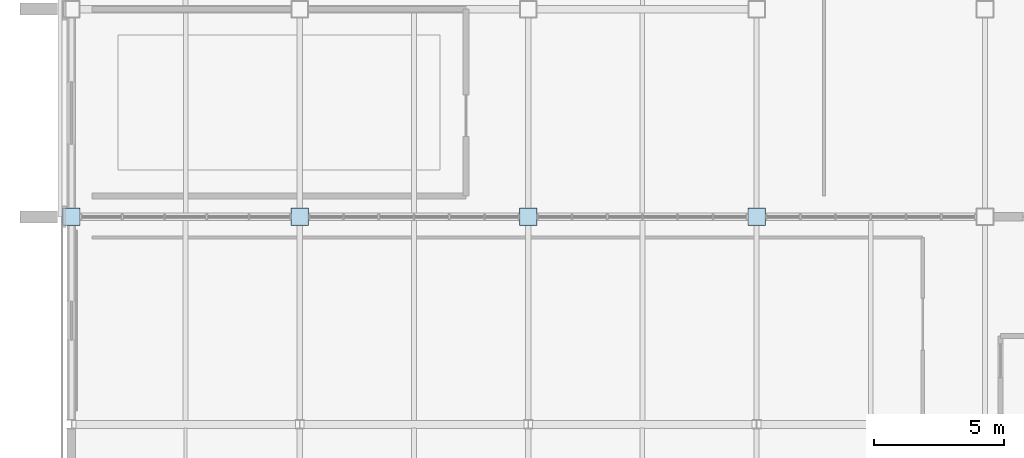
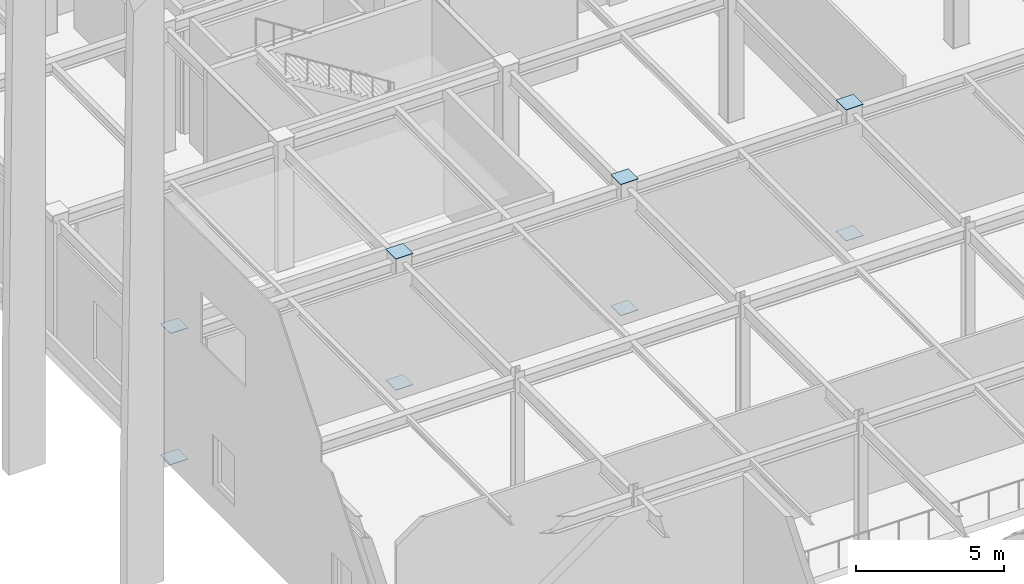
# One storey, part 67 of 119: 8 plates.
"""IFC4 building model written with IfcOpenShell, lengths in metres."""

from ifc_helpers import new_model, si_unit, direction, frame, origin, origin_2d, place, context, subcontext, project, spatial, rectangle, extrude, material, layer, layer_set, type_object, element, save


model = new_model("IFC4")

# Units and contexts
model_context = context("Model", 3, precision=1e-05, world=origin(), true_north=direction((0.0, 1.0)))
body_context = subcontext(model_context, "Body", "Model", "MODEL_VIEW")
ifc_project = project(units=[si_unit("LENGTHUNIT", "METRE"), si_unit("AREAUNIT", "SQUARE_METRE"), si_unit("VOLUMEUNIT", "CUBIC_METRE"), si_unit("PLANEANGLEUNIT", "RADIAN"), si_unit("MASSUNIT", "GRAM", prefix="KILO")], contexts=[model_context])

# Site, building, storey
site_placement = place(None, origin())
site = spatial("IfcSite", under=ifc_project, at=site_placement, CompositionType="ELEMENT")
building_placement = place(site_placement, origin())
building = spatial("IfcBuilding", under=site, at=building_placement, Name="Zhaolan Boulevard Law Courts", CompositionType="ELEMENT")
storey_placement = place(building_placement, origin())
storey = spatial("IfcBuildingStorey", under=building, at=storey_placement, Name="L00", CompositionType="ELEMENT", Elevation=0.0)

# Plates
ifc_material = material(Name="Structural steel Q355B", Category="steel")
ifc_layer = layer(ifc_material, 0.02001953125)
ifc_layer_set = layer_set([ifc_layer])
plate_type = type_object("IfcPlateType", Name="END CAP PLATE 20", PredefinedType="SHEET", material=ifc_layer_set)
for number, where, z_axis, x_axis, name in (
    (1, (0.0, 30.0, -0.01806640625), (0.0, 0.0, 1.0), (1.0, 0.0, 0.0), "Hollow Section End-Cap Plate ECP-0003"),
    (2, (0.0, 30.0, 5.39794921875), (0.0, 0.0, 1.0), (1.0, 0.0, 0.0), "Hollow Section End-Cap Plate ECP-0004"),
    (3, (8.800048828125, 30.0, -0.01806640625), (0.0, 0.0, 1.0), (1.0, 0.0, 0.0), "Hollow Section End-Cap Plate ECP-0137"),
    (4, (8.800048828125, 30.0, 5.39794921875), (0.0, 0.0, 1.0), (1.0, 0.0, 0.0), "Hollow Section End-Cap Plate ECP-0138"),
    (5, (17.60009765625, 30.0, -0.01806640625), (0.0, 0.0, 1.0), (1.0, 0.0, 0.0), "Hollow Section End-Cap Plate ECP-0271"),
    (6, (17.60009765625, 30.0, 5.39794921875), (0.0, 0.0, 1.0), (1.0, 0.0, 0.0), "Hollow Section End-Cap Plate ECP-0272"),
    (7, (26.39990234375, 30.0, -0.01806640625), (0.0, 0.0, 1.0), (1.0, 0.0, 0.0), "Hollow Section End-Cap Plate ECP-0317"),
    (8, (26.39990234375, 30.0, 5.39794921875), (0.0, 0.0, 1.0), (1.0, 0.0, 0.0), "Hollow Section End-Cap Plate ECP-0318"),
):
    element("IfcPlate", number, at=place(storey_placement, frame(where, z_axis=z_axis, x_axis=x_axis)), inside=storey, type_object=plate_type, Name=name, PredefinedType="SHEET", context=body_context, shape_type="SweptSolid", body=[
        extrude(rectangle(XDim=0.679931640625, YDim=0.679931640625, at=origin_2d()), origin(), (0.0, 0.0, 1.0), 0.02001953125),
    ])

save(model, "model.ifc")
